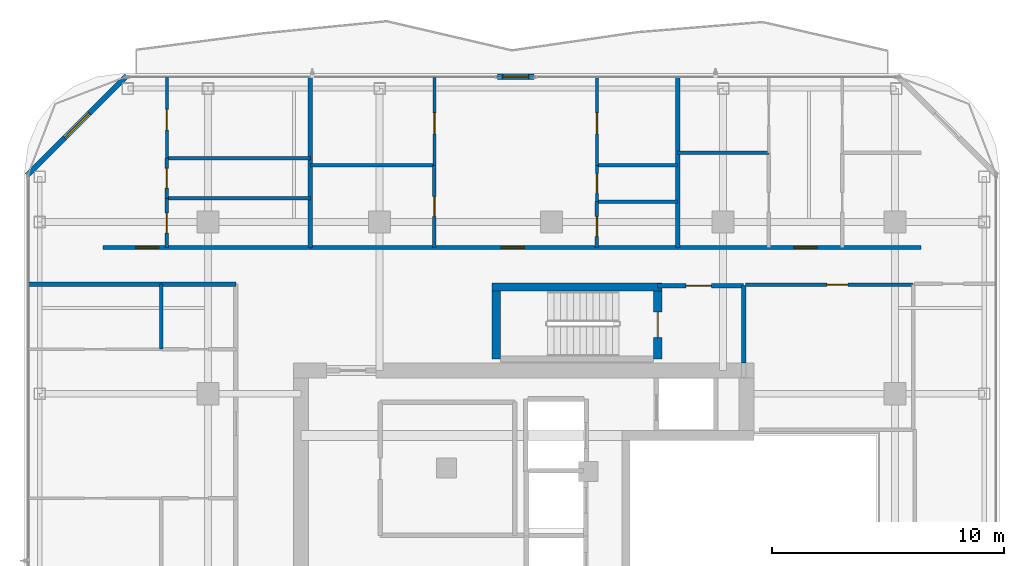
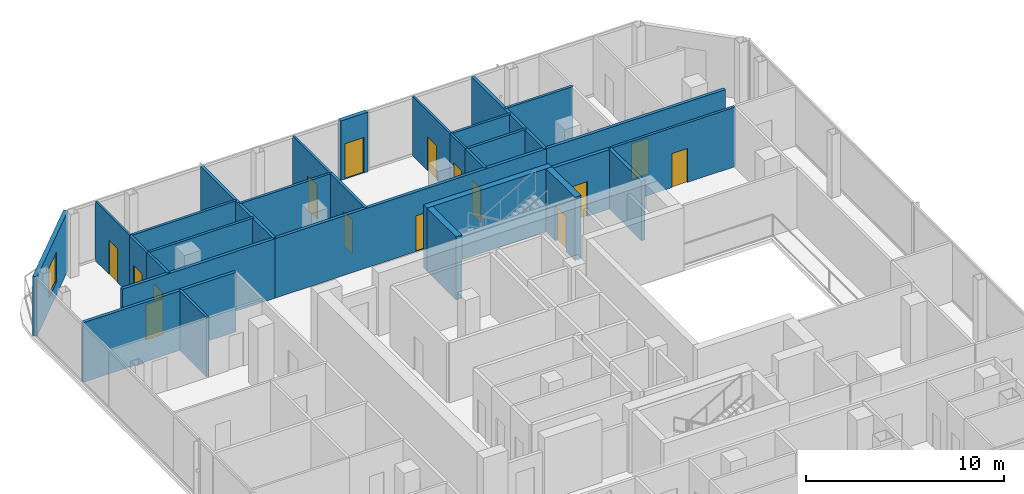
# One storey, part 20 of 26: 29 walls, 15 doors, 1 window, 16 openings.
"""IFC4 building model written with IfcOpenShell, lengths in metres."""

from ifc_helpers import new_model, si_unit, direction, frame, frame_2d, origin, place, context, subcontext, project, spatial, rectangle, extrude, material, layer, layer_set, type_object, element, fill, save


model = new_model("IFC4")

# Units and contexts
model_context = context("Model", 3, precision=1e-05, world=origin(), true_north=direction((0.0, 1.0)))
body_context = subcontext(model_context, "Body", "Model", "MODEL_VIEW")
ifc_project = project(units=[si_unit("LENGTHUNIT", "METRE"), si_unit("AREAUNIT", "SQUARE_METRE"), si_unit("VOLUMEUNIT", "CUBIC_METRE"), si_unit("PLANEANGLEUNIT", "RADIAN"), si_unit("MASSUNIT", "GRAM", prefix="KILO")], contexts=[model_context])

# Site, building, storey
site_placement = place(None, origin())
site = spatial("IfcSite", under=ifc_project, at=site_placement, CompositionType="ELEMENT")
building_placement = place(site_placement, origin())
building = spatial("IfcBuilding", under=site, at=building_placement, Name="Khorvyn Point Tower", CompositionType="ELEMENT")
storey_placement = place(building_placement, frame((0.0, 0.0, 289.800048828125)))
storey = spatial("IfcBuildingStorey", under=building, at=storey_placement, Name="L71", CompositionType="ELEMENT", Elevation=289.800048828125)

# Wall, opening, door
ifc_material_1 = material(Name="Double acoustic gypsum on twin steel stud", Category="steel")
ifc_layer_1 = layer(ifc_material_1, 0.179931640625)
ifc_layer_set_1 = layer_set([ifc_layer_1], Name="Acoustic Double-Stud Apartment Demising Wall 180")
wall_type_1 = type_object("IfcWallType", Name="Acoustic Double-Stud Apartment Demising Wall 180", PredefinedType="PARTITIONING", material=ifc_layer_set_1)
wall_1_placement = place(storey_placement, frame((-19.320068359375, 13.699951171875, 0.0), z_axis=(0.0, 0.0, 1.0), x_axis=(1.0, 0.0, 0.0)))
wall_1 = element("IfcWall", 1, at=wall_1_placement, inside=storey, type_object=wall_type_1, Name="Wall", PredefinedType="PARTITIONING", context=body_context, shape_type="SweptSolid", body=[
    extrude(rectangle(XDim=8.927001953125, YDim=0.179931640625, at=frame_2d((4.46337890625, 0.0))), origin(), (0.0, 0.0, 1.0), 3.679931640625),
])
opening_1_placement = place(wall_1_placement, frame((1.398193359375, 0.0, 0.0)))
opening_1 = element("IfcOpeningElement", 2, at=opening_1_placement, cuts=wall_1, Name="Opening ID-AP60", PredefinedType="OPENING", context=body_context, shape_type="SweptSolid", body=[
    extrude(rectangle(XDim=1.0, YDim=2.199951171875, at=frame_2d((0.5, 1.10009765625))), frame((0.0, 0.099853515625, 0.0), z_axis=(0.0, -1.0, 0.0), x_axis=(1.0, 0.0, 0.0)), (0.0, 0.0, 1.0), 0.199951171875),
])
ifc_material_2 = material(Name="Engineered hardwood fire-rated leaf", Category="wood")
door_type_1 = type_object("IfcDoorType", Name="Acoustic Solid-Core Timber Apartment Entrance Door 1000x2200", OperationType="NOTDEFINED", PredefinedType="DOOR", material=ifc_material_2)
door_1_placement = place(opening_1_placement, origin())
door_1 = element("IfcDoor", 3, at=door_1_placement, inside=storey, type_object=door_type_1, Name="Door", OperationType="SINGLE_SWING_RIGHT", OverallHeight=2.199951171875, OverallWidth=1.0, PredefinedType="DOOR", context=body_context, shape_type="SweptSolid", body=[
    extrude(rectangle(XDim=1.0, YDim=2.199951171875, at=frame_2d((0.5, 1.10009765625))), frame((0.0, 0.02490234375, 0.0), z_axis=(0.0, -1.0, 0.0), x_axis=(1.0, 0.0, 0.0)), (0.0, 0.0, 1.0), 0.050048828125),
])
fill(opening_1, door_1)

wall_2_placement = place(storey_placement, frame((-10.39306640625, 13.699951171875, 0.0), z_axis=(0.0, 0.0, 1.0), x_axis=(1.0, 0.0, 0.0)))
wall_2 = element("IfcWall", 4, at=wall_2_placement, inside=storey, type_object=wall_type_1, Name="Wall", PredefinedType="PARTITIONING", context=body_context, shape_type="SweptSolid", body=[
    extrude(rectangle(XDim=15.8349609375, YDim=0.179931640625, at=frame_2d((7.91748046875, 0.0))), origin(), (0.0, 0.0, 1.0), 3.679931640625),
])
opening_2_placement = place(wall_2_placement, frame((8.223876953125, 0.0, 0.0)))
opening_2 = element("IfcOpeningElement", 5, at=opening_2_placement, cuts=wall_2, Name="Opening ID-AP60", PredefinedType="OPENING", context=body_context, shape_type="SweptSolid", body=[
    extrude(rectangle(XDim=1.0, YDim=2.199951171875, at=frame_2d((0.5, 1.10009765625))), frame((0.0, 0.099853515625, 0.0), z_axis=(0.0, -1.0, 0.0), x_axis=(1.0, 0.0, 0.0)), (0.0, 0.0, 1.0), 0.199951171875),
])
door_2_placement = place(opening_2_placement, origin())
door_2 = element("IfcDoor", 6, at=door_2_placement, inside=storey, type_object=door_type_1, Name="Door", OperationType="SINGLE_SWING_RIGHT", OverallHeight=2.199951171875, OverallWidth=1.0, PredefinedType="DOOR", context=body_context, shape_type="SweptSolid", body=[
    extrude(rectangle(XDim=1.0, YDim=2.199951171875, at=frame_2d((0.5, 1.10009765625))), frame((0.0, 0.02490234375, 0.0), z_axis=(0.0, -1.0, 0.0), x_axis=(1.0, 0.0, 0.0)), (0.0, 0.0, 1.0), 0.050048828125),
])
fill(opening_2, door_2)

wall_3_placement = place(storey_placement, frame((5.44189453125, 13.699951171875, 0.0), z_axis=(0.0, 0.0, 1.0), x_axis=(1.0, 0.0, 0.0)))
wall_3 = element("IfcWall", 7, at=wall_3_placement, inside=storey, type_object=wall_type_1, Name="Wall", PredefinedType="PARTITIONING", context=body_context, shape_type="SweptSolid", body=[
    extrude(rectangle(XDim=10.47802734375, YDim=0.179931640625, at=frame_2d((5.239013671875, 0.0))), origin(), (0.0, 0.0, 1.0), 3.679931640625),
])
opening_3_placement = place(wall_3_placement, frame((5.00830078125, 0.0, 0.0)))
opening_3 = element("IfcOpeningElement", 8, at=opening_3_placement, cuts=wall_3, Name="Opening ID-AP60", PredefinedType="OPENING", context=body_context, shape_type="SweptSolid", body=[
    extrude(rectangle(XDim=1.0, YDim=2.199951171875, at=frame_2d((0.5, 1.10009765625))), frame((0.0, 0.099853515625, 0.0), z_axis=(0.0, -1.0, 0.0), x_axis=(1.0, 0.0, 0.0)), (0.0, 0.0, 1.0), 0.199951171875),
])
door_3_placement = place(opening_3_placement, origin())
door_3 = element("IfcDoor", 9, at=door_3_placement, inside=storey, type_object=door_type_1, Name="Door", OperationType="SINGLE_SWING_RIGHT", OverallHeight=2.199951171875, OverallWidth=1.0, PredefinedType="DOOR", context=body_context, shape_type="SweptSolid", body=[
    extrude(rectangle(XDim=1.0, YDim=2.199951171875, at=frame_2d((0.5, 1.10009765625))), frame((0.0, 0.02490234375, 0.0), z_axis=(0.0, -1.0, 0.0), x_axis=(1.0, 0.0, 0.0)), (0.0, 0.0, 1.0), 0.050048828125),
])
fill(opening_3, door_3)

# Walls
for number, where, z_axis, x_axis, name in (
    (10, (-10.39306640625, 13.699951171875, 0.0), (0.0, 0.0, 1.0), (0.0, 1.0, 0.0), "Wall"),
    (11, (5.44189453125, 13.699951171875, 0.0), (0.0, 0.0, 1.0), (0.0, 1.0, 0.0), "Wall"),
):
    element("IfcWall", number, at=place(storey_placement, frame(where, z_axis=z_axis, x_axis=x_axis)), inside=storey, type_object=wall_type_1, Name=name, PredefinedType="PARTITIONING", context=body_context, shape_type="SweptSolid", body=[
        extrude(rectangle(XDim=7.330078125, YDim=0.179931640625, at=frame_2d((3.6650390625, 0.0))), origin(), (0.0, 0.0, 1.0), 3.679931640625),
    ])
wall_4_placement = place(storey_placement, frame((-22.530029296875, 12.1201171875, 0.0), z_axis=(0.0, 0.0, 1.0), x_axis=(1.0, 0.0, 0.0)))
element("IfcWall", 12, at=wall_4_placement, inside=storey, type_object=wall_type_1, Name="Wall", PredefinedType="PARTITIONING", context=body_context, shape_type="SweptSolid", body=[
    extrude(rectangle(XDim=8.929931640625, YDim=0.179931640625, at=frame_2d((4.46484375, 0.0))), origin(), (0.0, 0.0, 1.0), 3.679931640625),
])

# Wall, opening, door
ifc_material_3 = material(Name="Pale anodised aluminium rainscreen on steel stud", Category="steel")
ifc_layer_2 = layer(ifc_material_3, 0.239990234375)
ifc_layer_set_2 = layer_set([ifc_layer_2], Name="Anodised Aluminium Insulated Corner Spandrel Wall 240")
wall_type_2 = type_object("IfcWallType", Name="Anodised Aluminium Insulated Corner Spandrel Wall 240", PredefinedType="SOLIDWALL", material=ifc_layer_set_2)
wall_5_placement = place(storey_placement, frame((-2.330078125, 21.050048828125, 0.0), z_axis=(0.0, 0.0, 1.0), x_axis=(1.0, 0.0, 0.0)))
wall_5 = element("IfcWall", 13, at=wall_5_placement, inside=storey, type_object=wall_type_2, Name="L71 North Outdoor Threshold Wall", PredefinedType="SOLIDWALL", context=body_context, shape_type="SweptSolid", body=[
    extrude(rectangle(XDim=1.580078125, YDim=0.239990234375, at=frame_2d((0.7900390625, 0.0))), origin(), (0.0, 0.0, 1.0), 3.679931640625),
])
opening_4_placement = place(wall_5_placement, frame((0.239990234375, 0.0, 0.0)))
opening_4 = element("IfcOpeningElement", 14, at=opening_4_placement, cuts=wall_5, Name="Opening BD-1122", PredefinedType="OPENING", context=body_context, shape_type="SweptSolid", body=[
    extrude(rectangle(XDim=1.10009765625, YDim=2.199951171875, at=frame_2d((0.550048828125, 1.10009765625))), frame((0.0, 0.1298828125, 0.0), z_axis=(0.0, -1.0, 0.0), x_axis=(1.0, 0.0, 0.0)), (0.0, 0.0, 1.0), 0.260009765625),
])
ifc_material_4 = material(Name="Anodised aluminium 6063-T6 and laminated Low-E glass", Category="aluminium")
door_type_2 = type_object("IfcDoorType", Name="Glazed Balcony and Terrace Threshold Door 1100x2200", OperationType="NOTDEFINED", PredefinedType="DOOR", material=ifc_material_4)
door_4_placement = place(opening_4_placement, origin())
door_4 = element("IfcDoor", 15, at=door_4_placement, inside=storey, type_object=door_type_2, Name="L71 North Glazed Balcony Outdoor Door", OperationType="SINGLE_SWING_RIGHT", OverallHeight=2.199951171875, OverallWidth=1.10009765625, PredefinedType="DOOR", context=body_context, shape_type="SweptSolid", body=[
    extrude(rectangle(XDim=1.10009765625, YDim=2.199951171875, at=frame_2d((0.550048828125, 1.10009765625))), frame((0.0, 0.02490234375, 0.0), z_axis=(0.0, -1.0, 0.0), x_axis=(1.0, 0.0, 0.0)), (0.0, 0.0, 1.0), 0.050048828125),
])
fill(opening_4, door_4)

# Wall, opening, window
wall_6_placement = place(storey_placement, frame((-22.59228515625, 16.8076171875, 0.0), z_axis=(0.0, 0.0, 1.0), x_axis=(0.707106781187, 0.707106781187, 0.0)))
wall_6 = element("IfcWall", 16, at=wall_6_placement, inside=storey, type_object=wall_type_2, Name="L71 Rounded Corner Wall NW", PredefinedType="SOLIDWALL", context=body_context, shape_type="SweptSolid", body=[
    extrude(rectangle(XDim=6.059326171875, YDim=0.239990234375, at=frame_2d((3.02978515625, 0.0))), origin(), (0.0, 0.0, 1.0), 3.679931640625),
])
opening_5_placement = place(wall_6_placement, frame((2.27978515625, 0.0, 0.800048828125)))
opening_5 = element("IfcOpeningElement", 17, at=opening_5_placement, cuts=wall_6, Name="Opening WN-1518", PredefinedType="OPENING", context=body_context, shape_type="SweptSolid", body=[
    extrude(rectangle(XDim=1.5, YDim=1.85009765625, at=frame_2d((0.75, 0.925048828125))), frame((0.0, 0.1298828125, 0.0), z_axis=(0.0, -1.0, 0.0), x_axis=(1.0, 0.0, 0.0)), (0.0, 0.0, 1.0), 0.260009765625),
])
window_type = type_object("IfcWindowType", Name="Anodised Aluminium Rounded-Corner Panoramic Window 1500x1850", PartitioningType="SINGLE_PANEL", PredefinedType="WINDOW", material=ifc_material_4)
window_placement = place(opening_5_placement, origin())
window = element("IfcWindow", 18, at=window_placement, inside=storey, type_object=window_type, Name="L71 Corner Panoramic Window NW", OverallHeight=1.85009765625, OverallWidth=1.5, PartitioningType="SINGLE_PANEL", PredefinedType="WINDOW", context=body_context, shape_type="SweptSolid", body=[
    extrude(rectangle(XDim=1.5, YDim=1.85009765625, at=frame_2d((0.75, 0.925048828125))), frame((0.0, 0.030029296875, 0.0), z_axis=(0.0, -1.0, 0.0), x_axis=(1.0, 0.0, 0.0)), (0.0, 0.0, 1.0), 0.06005859375),
])
fill(opening_5, window)

# Wall, opening, door
ifc_material_5 = material(Name="Concrete C40/50", Category="concrete")
ifc_layer_3 = layer(ifc_material_5, 0.199951171875)
ifc_layer_set_3 = layer_set([ifc_layer_3], Name="Concrete C40/50 Fire-Lobby Compartment Wall 200")
wall_type_3 = type_object("IfcWallType", Name="Concrete C40/50 Fire-Lobby Compartment Wall 200", PredefinedType="SOLIDWALL", material=ifc_layer_set_3)
wall_7_placement = place(storey_placement, frame((4.580078125, 12.06005859375, 0.0), z_axis=(0.0, 0.0, 1.0), x_axis=(1.0, 0.0, 0.0)))
wall_7 = element("IfcWall", 19, at=wall_7_placement, inside=storey, type_object=wall_type_3, Name="Wall", PredefinedType="SOLIDWALL", context=body_context, shape_type="SweptSolid", body=[
    extrude(rectangle(XDim=3.699951171875, YDim=0.199951171875, at=frame_2d((1.85009765625, 0.0))), origin(), (0.0, 0.0, 1.0), 3.679931640625),
])
opening_6_placement = place(wall_7_placement, frame((1.21240234375, 0.0, 0.0)))
opening_6 = element("IfcOpeningElement", 20, at=opening_6_placement, cuts=wall_7, Name="Opening ID-FL90", PredefinedType="OPENING", context=body_context, shape_type="SweptSolid", body=[
    extrude(rectangle(XDim=1.10009765625, YDim=2.14990234375, at=frame_2d((0.550048828125, 1.074951171875))), frame((0.0, 0.10986328125, 0.0), z_axis=(0.0, -1.0, 0.0), x_axis=(1.0, 0.0, 0.0)), (0.0, 0.0, 1.0), 0.219970703125),
])
ifc_material_6 = material(Name="Galvanised powder-coated steel", Category="steel")
door_type_3 = type_object("IfcDoorType", Name="Fire-Rated Steel Lobby and Stair Door 1100x2150", OperationType="NOTDEFINED", PredefinedType="DOOR", material=ifc_material_6)
door_5_placement = place(opening_6_placement, origin())
door_5 = element("IfcDoor", 21, at=door_5_placement, inside=storey, type_object=door_type_3, Name="Door", OperationType="SINGLE_SWING_RIGHT", OverallHeight=2.14990234375, OverallWidth=1.10009765625, PredefinedType="DOOR", context=body_context, shape_type="SweptSolid", body=[
    extrude(rectangle(XDim=1.10009765625, YDim=2.14990234375, at=frame_2d((0.550048828125, 1.074951171875))), frame((0.0, 0.02490234375, 0.0), z_axis=(0.0, -1.0, 0.0), x_axis=(1.0, 0.0, 0.0)), (0.0, 0.0, 1.0), 0.050048828125),
])
fill(opening_6, door_5)

# Walls
wall_8_placement = place(storey_placement, frame((8.280029296875, 8.72509765625, 0.0), z_axis=(0.0, 0.0, 1.0), x_axis=(0.0, 1.0, 0.0)))
element("IfcWall", 22, at=wall_8_placement, inside=storey, type_object=wall_type_3, Name="Wall", PredefinedType="SOLIDWALL", context=body_context, shape_type="SweptSolid", body=[
    extrude(rectangle(XDim=3.3349609375, YDim=0.199951171875, at=frame_2d((1.66748046875, 0.0))), origin(), (0.0, 0.0, 1.0), 3.679931640625),
])
ifc_layer_4 = layer(ifc_material_5, 0.35009765625)
ifc_layer_set_4 = layer_set([ifc_layer_4], Name="Concrete C40/50 Stair Shaft Structural Wall 350")
wall_type_4 = type_object("IfcWallType", Name="Concrete C40/50 Stair Shaft Structural Wall 350", PredefinedType="SHEAR", material=ifc_layer_set_4)
wall_9_placement = place(storey_placement, frame((-2.554931640625, 12.0, 0.0), z_axis=(0.0, 0.0, 1.0), x_axis=(1.0, 0.0, 0.0)))
element("IfcWall", 23, at=wall_9_placement, inside=storey, type_object=wall_type_4, Name="L71 ST-02 North Shaft Wall", PredefinedType="SHEAR", context=body_context, shape_type="SweptSolid", body=[
    extrude(rectangle(XDim=7.309814453125, YDim=0.35009765625, at=frame_2d((3.65478515625, 0.0))), origin(), (0.0, 0.0, 1.0), 3.89990234375),
])
wall_10_placement = place(storey_placement, frame((-2.3798828125, 8.89990234375, 0.0), z_axis=(0.0, 0.0, 1.0), x_axis=(0.0, 1.0, 0.0)))
element("IfcWall", 24, at=wall_10_placement, inside=storey, type_object=wall_type_4, Name="L71 ST-02 West Shaft Wall", PredefinedType="SHEAR", context=body_context, shape_type="SweptSolid", body=[
    extrude(rectangle(XDim=2.925048828125, YDim=0.35009765625, at=frame_2d((1.46240234375, 0.0))), origin(), (0.0, 0.0, 1.0), 3.89990234375),
])

# Wall, opening, door
wall_11_placement = place(storey_placement, frame((4.580078125, 11.824951171875, 0.0), z_axis=(0.0, 0.0, 1.0), x_axis=(0.0, -1.0, 0.0)))
wall_11 = element("IfcWall", 25, at=wall_11_placement, inside=storey, type_object=wall_type_4, Name="L71 ST-02 East Landing Door Wall", PredefinedType="SHEAR", context=body_context, shape_type="SweptSolid", body=[
    extrude(rectangle(XDim=2.925048828125, YDim=0.35009765625, at=frame_2d((1.46240234375, 0.0))), origin(), (0.0, 0.0, 1.0), 3.89990234375),
])
opening_7_placement = place(wall_11_placement, frame((0.91259765625, 0.0, 0.0)))
opening_7 = element("IfcOpeningElement", 26, at=opening_7_placement, cuts=wall_11, Name="Opening ID-FL90", PredefinedType="OPENING", context=body_context, shape_type="SweptSolid", body=[
    extrude(rectangle(XDim=1.10009765625, YDim=2.14990234375, at=frame_2d((0.550048828125, 1.074951171875))), frame((0.0, 0.18505859375, 0.0), z_axis=(0.0, -1.0, 0.0), x_axis=(1.0, 0.0, 0.0)), (0.0, 0.0, 1.0), 0.3701171875),
])
door_6_placement = place(opening_7_placement, origin())
door_6 = element("IfcDoor", 27, at=door_6_placement, inside=storey, type_object=door_type_3, Name="L71 ST-02 Smokeproof Landing Door", OperationType="SINGLE_SWING_RIGHT", OverallHeight=2.14990234375, OverallWidth=1.10009765625, PredefinedType="DOOR", context=body_context, shape_type="SweptSolid", body=[
    extrude(rectangle(XDim=1.10009765625, YDim=2.14990234375, at=frame_2d((0.550048828125, 1.074951171875))), frame((0.0, 0.02490234375, 0.0), z_axis=(0.0, -1.0, 0.0), x_axis=(1.0, 0.0, 0.0)), (0.0, 0.0, 1.0), 0.050048828125),
])
fill(opening_7, door_6)

ifc_material_7 = material(Name="Gypsum plasterboard on steel stud", Category="steel")
ifc_layer_5 = layer(ifc_material_7, 0.1201171875)
ifc_layer_set_5 = layer_set([ifc_layer_5], Name="Gypsum Acoustic Stud Room Partition Wall 120")
wall_type_5 = type_object("IfcWallType", Name="Gypsum Acoustic Stud Room Partition Wall 120", PredefinedType="PARTITIONING", material=ifc_layer_set_5)
wall_12_placement = place(storey_placement, frame((-16.570068359375, 17.553955078125, 0.0), z_axis=(0.0, 0.0, 1.0), x_axis=(0.0, 1.0, 0.0)))
wall_12 = element("IfcWall", 28, at=wall_12_placement, inside=storey, type_object=wall_type_5, Name="Wall", PredefinedType="PARTITIONING", context=body_context, shape_type="SweptSolid", body=[
    extrude(rectangle(XDim=3.47607421875, YDim=0.1201171875, at=frame_2d((1.738037109375, 0.0))), origin(), (0.0, 0.0, 1.0), 3.679931640625),
])
opening_8_placement = place(wall_12_placement, frame((1.201171875, 0.0, 0.0)))
opening_8 = element("IfcOpeningElement", 29, at=opening_8_placement, cuts=wall_12, Name="Opening ID-RM90", PredefinedType="OPENING", context=body_context, shape_type="SweptSolid", body=[
    extrude(rectangle(XDim=0.89990234375, YDim=2.10009765625, at=frame_2d((0.449951171875, 1.050048828125))), frame((0.0, 0.070068359375, 0.0), z_axis=(0.0, -1.0, 0.0), x_axis=(1.0, 0.0, 0.0)), (0.0, 0.0, 1.0), 0.14013671875),
])
ifc_material_8 = material(Name="Engineered oak veneer timber", Category="wood")
door_type_4 = type_object("IfcDoorType", Name="Flush Engineered Timber Room Door 900x2100", OperationType="NOTDEFINED", PredefinedType="DOOR", material=ifc_material_8)
door_7_placement = place(opening_8_placement, origin())
door_7 = element("IfcDoor", 30, at=door_7_placement, inside=storey, type_object=door_type_4, Name="Door", OperationType="SINGLE_SWING_LEFT", OverallHeight=2.10009765625, OverallWidth=0.89990234375, PredefinedType="DOOR", context=body_context, shape_type="SweptSolid", body=[
    extrude(rectangle(XDim=0.89990234375, YDim=2.10009765625, at=frame_2d((0.449951171875, 1.050048828125))), frame((0.0, 0.02490234375, 0.0), z_axis=(0.0, -1.0, 0.0), x_axis=(1.0, 0.0, 0.0)), (0.0, 0.0, 1.0), 0.050048828125),
])
fill(opening_8, door_7)

wall_13_placement = place(storey_placement, frame((-5.041015625, 17.238037109375, 0.0), z_axis=(0.0, 0.0, 1.0), x_axis=(0.0, 1.0, 0.0)))
wall_13 = element("IfcWall", 31, at=wall_13_placement, inside=storey, type_object=wall_type_5, Name="Wall", PredefinedType="PARTITIONING", context=body_context, shape_type="SweptSolid", body=[
    extrude(rectangle(XDim=3.7919921875, YDim=0.1201171875, at=frame_2d((1.89599609375, 0.0))), origin(), (0.0, 0.0, 1.0), 3.679931640625),
])
opening_9_placement = place(wall_13_placement, frame((1.3603515625, 0.0, 0.0)))
opening_9 = element("IfcOpeningElement", 32, at=opening_9_placement, cuts=wall_13, Name="Opening ID-RM90", PredefinedType="OPENING", context=body_context, shape_type="SweptSolid", body=[
    extrude(rectangle(XDim=0.89990234375, YDim=2.10009765625, at=frame_2d((0.449951171875, 1.050048828125))), frame((0.0, 0.070068359375, 0.0), z_axis=(0.0, -1.0, 0.0), x_axis=(1.0, 0.0, 0.0)), (0.0, 0.0, 1.0), 0.14013671875),
])
door_8_placement = place(opening_9_placement, origin())
door_8 = element("IfcDoor", 33, at=door_8_placement, inside=storey, type_object=door_type_4, Name="Door", OperationType="SINGLE_SWING_RIGHT", OverallHeight=2.10009765625, OverallWidth=0.89990234375, PredefinedType="DOOR", context=body_context, shape_type="SweptSolid", body=[
    extrude(rectangle(XDim=0.89990234375, YDim=2.10009765625, at=frame_2d((0.449951171875, 1.050048828125))), frame((0.0, 0.02490234375, 0.0), z_axis=(0.0, -1.0, 0.0), x_axis=(1.0, 0.0, 0.0)), (0.0, 0.0, 1.0), 0.050048828125),
])
fill(opening_9, door_8)

wall_14_placement = place(storey_placement, frame((1.9599609375, 15.680908203125, 0.0), z_axis=(0.0, 0.0, 1.0), x_axis=(0.0, 1.0, 0.0)))
wall_14 = element("IfcWall", 34, at=wall_14_placement, inside=storey, type_object=wall_type_5, Name="Wall", PredefinedType="PARTITIONING", context=body_context, shape_type="SweptSolid", body=[
    extrude(rectangle(XDim=1.55712890625, YDim=0.1201171875, at=frame_2d((0.778564453125, 0.0))), origin(), (0.0, 0.0, 1.0), 3.679931640625),
])
opening_10_placement = place(wall_14_placement, frame((0.353515625, 0.0, 0.0)))
opening_10 = element("IfcOpeningElement", 35, at=opening_10_placement, cuts=wall_14, Name="Opening ID-WC85", PredefinedType="OPENING", context=body_context, shape_type="SweptSolid", body=[
    extrude(rectangle(XDim=0.85009765625, YDim=2.10009765625, at=frame_2d((0.425048828125, 1.050048828125))), frame((0.0, 0.070068359375, 0.0), z_axis=(0.0, -1.0, 0.0), x_axis=(1.0, 0.0, 0.0)), (0.0, 0.0, 1.0), 0.14013671875),
])
ifc_material_9 = material(Name="High-pressure laminate on moisture-resistant core", Category="wood")
door_type_5 = type_object("IfcDoorType", Name="Moisture-Resistant Accessible Washroom Door 850x2100", OperationType="NOTDEFINED", PredefinedType="DOOR", material=ifc_material_9)
door_9_placement = place(opening_10_placement, origin())
door_9 = element("IfcDoor", 36, at=door_9_placement, inside=storey, type_object=door_type_5, Name="Door", OperationType="SINGLE_SWING_RIGHT", OverallHeight=2.10009765625, OverallWidth=0.85009765625, PredefinedType="DOOR", context=body_context, shape_type="SweptSolid", body=[
    extrude(rectangle(XDim=0.85009765625, YDim=2.10009765625, at=frame_2d((0.425048828125, 1.050048828125))), frame((0.0, 0.02490234375, 0.0), z_axis=(0.0, -1.0, 0.0), x_axis=(1.0, 0.0, 0.0)), (0.0, 0.0, 1.0), 0.050048828125),
])
fill(opening_10, door_9)

wall_15_placement = place(storey_placement, frame((1.9599609375, 17.238037109375, 0.0), z_axis=(0.0, 0.0, 1.0), x_axis=(0.0, 1.0, 0.0)))
wall_15 = element("IfcWall", 37, at=wall_15_placement, inside=storey, type_object=wall_type_5, Name="Wall", PredefinedType="PARTITIONING", context=body_context, shape_type="SweptSolid", body=[
    extrude(rectangle(XDim=3.7919921875, YDim=0.1201171875, at=frame_2d((1.89599609375, 0.0))), origin(), (0.0, 0.0, 1.0), 3.679931640625),
])
opening_11_placement = place(wall_15_placement, frame((1.3603515625, 0.0, 0.0)))
opening_11 = element("IfcOpeningElement", 38, at=opening_11_placement, cuts=wall_15, Name="Opening ID-RM90", PredefinedType="OPENING", context=body_context, shape_type="SweptSolid", body=[
    extrude(rectangle(XDim=0.89990234375, YDim=2.10009765625, at=frame_2d((0.449951171875, 1.050048828125))), frame((0.0, 0.070068359375, 0.0), z_axis=(0.0, -1.0, 0.0), x_axis=(1.0, 0.0, 0.0)), (0.0, 0.0, 1.0), 0.14013671875),
])
door_10_placement = place(opening_11_placement, origin())
door_10 = element("IfcDoor", 39, at=door_10_placement, inside=storey, type_object=door_type_4, Name="Door", OperationType="SINGLE_SWING_LEFT", OverallHeight=2.10009765625, OverallWidth=0.89990234375, PredefinedType="DOOR", context=body_context, shape_type="SweptSolid", body=[
    extrude(rectangle(XDim=0.89990234375, YDim=2.10009765625, at=frame_2d((0.449951171875, 1.050048828125))), frame((0.0, 0.02490234375, 0.0), z_axis=(0.0, -1.0, 0.0), x_axis=(1.0, 0.0, 0.0)), (0.0, 0.0, 1.0), 0.050048828125),
])
fill(opening_11, door_10)

ifc_material_10 = material(Name="Moisture-resistant gypsum and cement board", Category="gypsum")
ifc_layer_6 = layer(ifc_material_10, 0.14990234375)
ifc_layer_set_6 = layer_set([ifc_layer_6], Name="Moisture-Resistant Wet-Room Partition Wall 150")
wall_type_6 = type_object("IfcWallType", Name="Moisture-Resistant Wet-Room Partition Wall 150", PredefinedType="PARTITIONING", material=ifc_layer_set_6)
wall_16_placement = place(storey_placement, frame((8.360107421875, 12.10009765625, 0.0), z_axis=(0.0, 0.0, 1.0), x_axis=(1.0, 0.0, 0.0)))
wall_16 = element("IfcWall", 40, at=wall_16_placement, inside=storey, type_object=wall_type_6, Name="Wall", PredefinedType="PARTITIONING", context=body_context, shape_type="SweptSolid", body=[
    extrude(rectangle(XDim=7.219970703125, YDim=0.14990234375, at=frame_2d((3.60986328125, 0.0))), origin(), (0.0, 0.0, 1.0), 3.679931640625),
])
opening_12_placement = place(wall_16_placement, frame((3.512939453125, 0.0, 0.0)))
opening_12 = element("IfcOpeningElement", 41, at=opening_12_placement, cuts=wall_16, Name="Opening ID-RM90", PredefinedType="OPENING", context=body_context, shape_type="SweptSolid", body=[
    extrude(rectangle(XDim=0.89990234375, YDim=2.10009765625, at=frame_2d((0.449951171875, 1.050048828125))), frame((0.0, 0.0849609375, 0.0), z_axis=(0.0, -1.0, 0.0), x_axis=(1.0, 0.0, 0.0)), (0.0, 0.0, 1.0), 0.169921875),
])
door_11_placement = place(opening_12_placement, origin())
door_11 = element("IfcDoor", 42, at=door_11_placement, inside=storey, type_object=door_type_4, Name="Door", OperationType="SINGLE_SWING_LEFT", OverallHeight=2.10009765625, OverallWidth=0.89990234375, PredefinedType="DOOR", context=body_context, shape_type="SweptSolid", body=[
    extrude(rectangle(XDim=0.89990234375, YDim=2.10009765625, at=frame_2d((0.449951171875, 1.050048828125))), frame((0.0, 0.02490234375, 0.0), z_axis=(0.0, -1.0, 0.0), x_axis=(1.0, 0.0, 0.0)), (0.0, 0.0, 1.0), 0.050048828125),
])
fill(opening_12, door_11)

wall_17_placement = place(storey_placement, frame((-16.570068359375, 13.699951171875, 0.0), z_axis=(0.0, 0.0, 1.0), x_axis=(0.0, 1.0, 0.0)))
wall_17 = element("IfcWall", 43, at=wall_17_placement, inside=storey, type_object=wall_type_6, Name="Wall", PredefinedType="PARTITIONING", context=body_context, shape_type="SweptSolid", body=[
    extrude(rectangle(XDim=2.1201171875, YDim=0.14990234375, at=frame_2d((1.06005859375, 0.0))), origin(), (0.0, 0.0, 1.0), 3.679931640625),
])
opening_13_placement = place(wall_17_placement, frame((0.635009765625, 0.0, 0.0)))
opening_13 = element("IfcOpeningElement", 44, at=opening_13_placement, cuts=wall_17, Name="Opening ID-WC85", PredefinedType="OPENING", context=body_context, shape_type="SweptSolid", body=[
    extrude(rectangle(XDim=0.85009765625, YDim=2.10009765625, at=frame_2d((0.425048828125, 1.050048828125))), frame((0.0, 0.0849609375, 0.0), z_axis=(0.0, -1.0, 0.0), x_axis=(1.0, 0.0, 0.0)), (0.0, 0.0, 1.0), 0.169921875),
])
door_12_placement = place(opening_13_placement, origin())
door_12 = element("IfcDoor", 45, at=door_12_placement, inside=storey, type_object=door_type_5, Name="Door", OperationType="SINGLE_SWING_LEFT", OverallHeight=2.10009765625, OverallWidth=0.85009765625, PredefinedType="DOOR", context=body_context, shape_type="SweptSolid", body=[
    extrude(rectangle(XDim=0.85009765625, YDim=2.10009765625, at=frame_2d((0.425048828125, 1.050048828125))), frame((0.0, 0.02490234375, 0.0), z_axis=(0.0, -1.0, 0.0), x_axis=(1.0, 0.0, 0.0)), (0.0, 0.0, 1.0), 0.050048828125),
])
fill(opening_13, door_12)

wall_18_placement = place(storey_placement, frame((-16.570068359375, 15.820068359375, 0.0), z_axis=(0.0, 0.0, 1.0), x_axis=(0.0, 1.0, 0.0)))
wall_18 = element("IfcWall", 46, at=wall_18_placement, inside=storey, type_object=wall_type_6, Name="Wall", PredefinedType="PARTITIONING", context=body_context, shape_type="SweptSolid", body=[
    extrude(rectangle(XDim=1.73388671875, YDim=0.14990234375, at=frame_2d((0.866943359375, 0.0))), origin(), (0.0, 0.0, 1.0), 3.679931640625),
])
opening_14_placement = place(wall_18_placement, frame((0.44189453125, 0.0, 0.0)))
opening_14 = element("IfcOpeningElement", 47, at=opening_14_placement, cuts=wall_18, Name="Opening ID-WC85", PredefinedType="OPENING", context=body_context, shape_type="SweptSolid", body=[
    extrude(rectangle(XDim=0.85009765625, YDim=2.10009765625, at=frame_2d((0.425048828125, 1.050048828125))), frame((0.0, 0.0849609375, 0.0), z_axis=(0.0, -1.0, 0.0), x_axis=(1.0, 0.0, 0.0)), (0.0, 0.0, 1.0), 0.169921875),
])
door_13_placement = place(opening_14_placement, origin())
door_13 = element("IfcDoor", 48, at=door_13_placement, inside=storey, type_object=door_type_5, Name="Door", OperationType="SINGLE_SWING_RIGHT", OverallHeight=2.10009765625, OverallWidth=0.85009765625, PredefinedType="DOOR", context=body_context, shape_type="SweptSolid", body=[
    extrude(rectangle(XDim=0.85009765625, YDim=2.10009765625, at=frame_2d((0.425048828125, 1.050048828125))), frame((0.0, 0.02490234375, 0.0), z_axis=(0.0, -1.0, 0.0), x_axis=(1.0, 0.0, 0.0)), (0.0, 0.0, 1.0), 0.050048828125),
])
fill(opening_14, door_13)

wall_19_placement = place(storey_placement, frame((-5.041015625, 13.699951171875, 0.0), z_axis=(0.0, 0.0, 1.0), x_axis=(0.0, 1.0, 0.0)))
wall_19 = element("IfcWall", 49, at=wall_19_placement, inside=storey, type_object=wall_type_6, Name="Wall", PredefinedType="PARTITIONING", context=body_context, shape_type="SweptSolid", body=[
    extrude(rectangle(XDim=3.5380859375, YDim=0.14990234375, at=frame_2d((1.76904296875, 0.0))), origin(), (0.0, 0.0, 1.0), 3.679931640625),
])
opening_15_placement = place(wall_19_placement, frame((1.343994140625, 0.0, 0.0)))
opening_15 = element("IfcOpeningElement", 50, at=opening_15_placement, cuts=wall_19, Name="Opening ID-WC85", PredefinedType="OPENING", context=body_context, shape_type="SweptSolid", body=[
    extrude(rectangle(XDim=0.85009765625, YDim=2.10009765625, at=frame_2d((0.425048828125, 1.050048828125))), frame((0.0, 0.0849609375, 0.0), z_axis=(0.0, -1.0, 0.0), x_axis=(1.0, 0.0, 0.0)), (0.0, 0.0, 1.0), 0.169921875),
])
door_14_placement = place(opening_15_placement, origin())
door_14 = element("IfcDoor", 51, at=door_14_placement, inside=storey, type_object=door_type_5, Name="Door", OperationType="SINGLE_SWING_LEFT", OverallHeight=2.10009765625, OverallWidth=0.85009765625, PredefinedType="DOOR", context=body_context, shape_type="SweptSolid", body=[
    extrude(rectangle(XDim=0.85009765625, YDim=2.10009765625, at=frame_2d((0.425048828125, 1.050048828125))), frame((0.0, 0.02490234375, 0.0), z_axis=(0.0, -1.0, 0.0), x_axis=(1.0, 0.0, 0.0)), (0.0, 0.0, 1.0), 0.050048828125),
])
fill(opening_15, door_14)

wall_20_placement = place(storey_placement, frame((1.9599609375, 13.699951171875, 0.0), z_axis=(0.0, 0.0, 1.0), x_axis=(0.0, 1.0, 0.0)))
wall_20 = element("IfcWall", 52, at=wall_20_placement, inside=storey, type_object=wall_type_6, Name="Wall", PredefinedType="PARTITIONING", context=body_context, shape_type="SweptSolid", body=[
    extrude(rectangle(XDim=1.98095703125, YDim=0.14990234375, at=frame_2d((0.990478515625, 0.0))), origin(), (0.0, 0.0, 1.0), 3.679931640625),
])
opening_16_placement = place(wall_20_placement, frame((0.484375, 0.0, 0.0)))
opening_16 = element("IfcOpeningElement", 53, at=opening_16_placement, cuts=wall_20, Name="Opening ID-WC85", PredefinedType="OPENING", context=body_context, shape_type="SweptSolid", body=[
    extrude(rectangle(XDim=0.85009765625, YDim=2.10009765625, at=frame_2d((0.425048828125, 1.050048828125))), frame((0.0, 0.0849609375, 0.0), z_axis=(0.0, -1.0, 0.0), x_axis=(1.0, 0.0, 0.0)), (0.0, 0.0, 1.0), 0.169921875),
])
door_15_placement = place(opening_16_placement, origin())
door_15 = element("IfcDoor", 54, at=door_15_placement, inside=storey, type_object=door_type_5, Name="Door", OperationType="SINGLE_SWING_LEFT", OverallHeight=2.10009765625, OverallWidth=0.85009765625, PredefinedType="DOOR", context=body_context, shape_type="SweptSolid", body=[
    extrude(rectangle(XDim=0.85009765625, YDim=2.10009765625, at=frame_2d((0.425048828125, 1.050048828125))), frame((0.0, 0.02490234375, 0.0), z_axis=(0.0, -1.0, 0.0), x_axis=(1.0, 0.0, 0.0)), (0.0, 0.0, 1.0), 0.050048828125),
])
fill(opening_16, door_15)

# Walls
for number, where, z_axis, x_axis, name in (
    (55, (-16.570068359375, 15.820068359375, 0.0), (0.0, 0.0, 1.0), (1.0, 0.0, 0.0), "Wall"),
    (56, (-16.570068359375, 17.553955078125, 0.0), (0.0, 0.0, 1.0), (1.0, 0.0, 0.0), "Wall"),
):
    element("IfcWall", number, at=place(storey_placement, frame(where, z_axis=z_axis, x_axis=x_axis)), inside=storey, type_object=wall_type_6, Name=name, PredefinedType="PARTITIONING", context=body_context, shape_type="SweptSolid", body=[
        extrude(rectangle(XDim=6.177001953125, YDim=0.14990234375, at=frame_2d((3.08837890625, 0.0))), origin(), (0.0, 0.0, 1.0), 3.679931640625),
    ])
wall_21_placement = place(storey_placement, frame((-10.39306640625, 17.238037109375, 0.0), z_axis=(0.0, 0.0, 1.0), x_axis=(1.0, 0.0, 0.0)))
element("IfcWall", 57, at=wall_21_placement, inside=storey, type_object=wall_type_6, Name="Wall", PredefinedType="PARTITIONING", context=body_context, shape_type="SweptSolid", body=[
    extrude(rectangle(XDim=5.35205078125, YDim=0.14990234375, at=frame_2d((2.676025390625, 0.0))), origin(), (0.0, 0.0, 1.0), 3.679931640625),
])
for number, where, z_axis, x_axis, name in (
    (58, (1.9599609375, 15.680908203125, 0.0), (0.0, 0.0, 1.0), (1.0, 0.0, 0.0), "Wall"),
    (59, (1.9599609375, 17.238037109375, 0.0), (0.0, 0.0, 1.0), (1.0, 0.0, 0.0), "Wall"),
):
    element("IfcWall", number, at=place(storey_placement, frame(where, z_axis=z_axis, x_axis=x_axis)), inside=storey, type_object=wall_type_6, Name=name, PredefinedType="PARTITIONING", context=body_context, shape_type="SweptSolid", body=[
        extrude(rectangle(XDim=3.48193359375, YDim=0.14990234375, at=frame_2d((1.740966796875, 0.0))), origin(), (0.0, 0.0, 1.0), 3.679931640625),
    ])
wall_22_placement = place(storey_placement, frame((5.44189453125, 17.781005859375, 0.0), z_axis=(0.0, 0.0, 1.0), x_axis=(1.0, 0.0, 0.0)))
element("IfcWall", 60, at=wall_22_placement, inside=storey, type_object=wall_type_6, Name="Wall", PredefinedType="PARTITIONING", context=body_context, shape_type="SweptSolid", body=[
    extrude(rectangle(XDim=3.925048828125, YDim=0.14990234375, at=frame_2d((1.96240234375, 0.0))), origin(), (0.0, 0.0, 1.0), 3.679931640625),
])
wall_23_placement = place(storey_placement, frame((-16.80908203125, 9.320068359375, 0.0), z_axis=(0.0, 0.0, 1.0), x_axis=(0.0, 1.0, 0.0)))
element("IfcWall", 61, at=wall_23_placement, inside=storey, type_object=wall_type_6, Name="Wall", PredefinedType="PARTITIONING", context=body_context, shape_type="SweptSolid", body=[
    extrude(rectangle(XDim=2.800048828125, YDim=0.14990234375, at=frame_2d((1.39990234375, 0.0))), origin(), (0.0, 0.0, 1.0), 3.679931640625),
])

save(model, "model.ifc")
